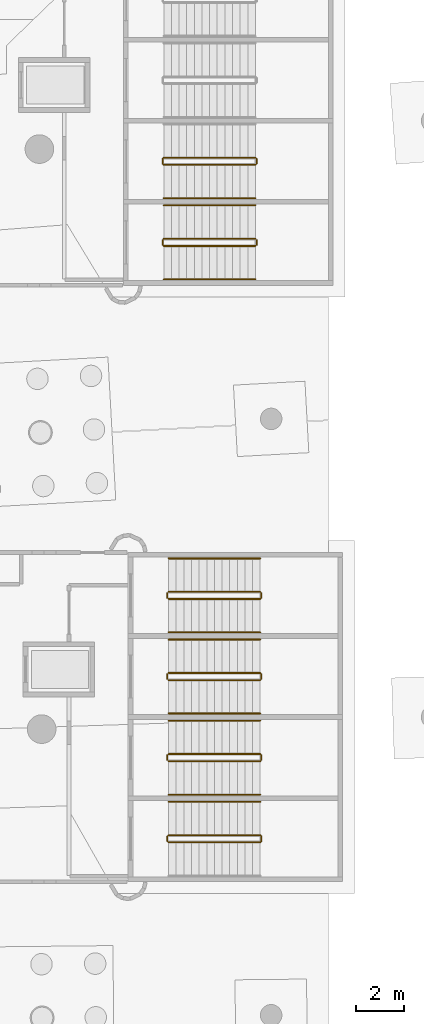
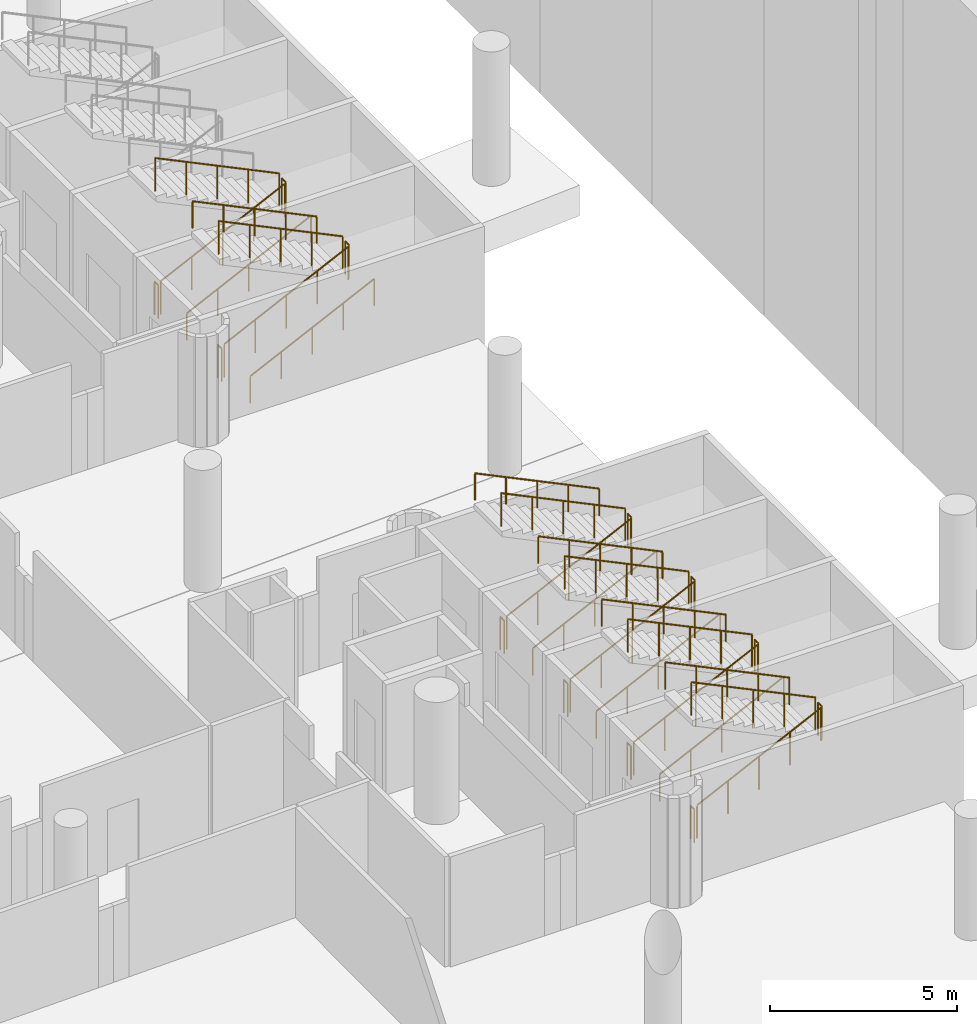
# One storey, part 135 of 142: 34 railings.
"""IFC4 building model written with IfcOpenShell, lengths in metres."""

from ifc_helpers import new_model, si_unit, direction, frame, origin, origin_2d, place, context, subcontext, project, spatial, circle, extrude, material, type_object, element, save


model = new_model("IFC4")

# Units and contexts
model_context = context("Model", 3, precision=1e-05, world=origin(), true_north=direction((0.0, 1.0)))
body_context = subcontext(model_context, "Body", "Model", "MODEL_VIEW")
ifc_project = project(units=[si_unit("LENGTHUNIT", "METRE"), si_unit("AREAUNIT", "SQUARE_METRE"), si_unit("VOLUMEUNIT", "CUBIC_METRE"), si_unit("PLANEANGLEUNIT", "RADIAN"), si_unit("MASSUNIT", "GRAM", prefix="KILO")], contexts=[model_context])

# Site, building, storey
site_placement = place(None, origin())
site = spatial("IfcSite", under=ifc_project, at=site_placement, CompositionType="ELEMENT")
building_placement = place(site_placement, origin())
building = spatial("IfcBuilding", under=site, at=building_placement, Name="Meseta Stadium", CompositionType="ELEMENT")
storey_placement = place(building_placement, frame((0.0, 0.0, -4.0)))
storey = spatial("IfcBuildingStorey", under=building, at=storey_placement, Name="B1", CompositionType="ELEMENT", Elevation=-4.0)

# Railings
ifc_material_1 = material(Name="Steel S355", Category="steel")
railing_type_1 = type_object("IfcRailingType", Name="Stair guard 1100", PredefinedType="GUARDRAIL", material=ifc_material_1)
railing_1_placement = place(storey_placement, frame((90.300048828125, 13.5, 0.15380859375)))
element("IfcRailing", 1, at=railing_1_placement, inside=storey, type_object=railing_type_1, Name="ST13 B1 guard 1", PredefinedType="GUARDRAIL", context=body_context, shape_type="SweptSolid", body=[
    extrude(circle(Radius=0.02392578125, at=origin_2d()), frame((0.0, 0.0, 1.076171875), z_axis=(0.901242096526, 0.0, 0.43331591645), x_axis=(0.0, 1.0, 0.0)), (0.0, 0.0, 1.0), 4.260498046875),
    extrude(circle(Radius=0.02099609375, at=origin_2d()), origin(), (0.0, 0.0, 1.0), 1.052001953125),
    extrude(circle(Radius=0.02099609375, at=origin_2d()), frame((0.9599609375, 0.0, 0.46142578125)), (0.0, 0.0, 1.0), 1.052001953125),
    extrude(circle(Radius=0.02099609375, at=origin_2d()), frame((1.919921875, 0.0, 0.923095703125)), (0.0, 0.0, 1.0), 1.052001953125),
    extrude(circle(Radius=0.02099609375, at=origin_2d()), frame((2.8798828125, 0.0, 1.384765625)), (0.0, 0.0, 1.0), 1.052001953125),
    extrude(circle(Radius=0.02099609375, at=origin_2d()), frame((3.83984375, 0.0, 1.84619140625)), (0.0, 0.0, 1.0), 1.052001953125),
])
railing_2_placement = place(storey_placement, frame((94.18994140625, 13.550048828125, 2.0)))
element("IfcRailing", 2, at=railing_2_placement, inside=storey, type_object=railing_type_1, Name="ST13 B1 guard 2", PredefinedType="GUARDRAIL", context=body_context, shape_type="SweptSolid", body=[
    extrude(circle(Radius=0.02392578125, at=origin_2d()), frame((0.0, 0.0, 1.076171875), z_axis=(0.0, 1.0, 0.0), x_axis=(-1.0, 0.0, 0.0)), (0.0, 0.0, 1.0), 0.199951171875),
    extrude(circle(Radius=0.02099609375, at=origin_2d()), origin(), (0.0, 0.0, 1.0), 1.052001953125),
    extrude(circle(Radius=0.02099609375, at=origin_2d()), frame((0.0, 0.199951171875, 0.0)), (0.0, 0.0, 1.0), 1.052001953125),
])
railing_3_placement = place(storey_placement, frame((94.139892578125, 13.800048828125, 2.15380859375)))
element("IfcRailing", 3, at=railing_3_placement, inside=storey, type_object=railing_type_1, Name="ST13 B1 guard 3", PredefinedType="GUARDRAIL", context=body_context, shape_type="SweptSolid", body=[
    extrude(circle(Radius=0.02392578125, at=origin_2d()), frame((0.0, 0.0, 1.076171875), z_axis=(-0.901242096526, 0.0, 0.43331591645), x_axis=(0.0, -1.0, 0.0)), (0.0, 0.0, 1.0), 4.260498046875),
    extrude(circle(Radius=0.02099609375, at=origin_2d()), origin(), (0.0, 0.0, 1.0), 1.052001953125),
    extrude(circle(Radius=0.02099609375, at=origin_2d()), frame((-0.9599609375, 0.0, 0.46142578125)), (0.0, 0.0, 1.0), 1.052001953125),
    extrude(circle(Radius=0.02099609375, at=origin_2d()), frame((-1.919921875, 0.0, 0.923095703125)), (0.0, 0.0, 1.0), 1.052001953125),
    extrude(circle(Radius=0.02099609375, at=origin_2d()), frame((-2.8798828125, 0.0, 1.384765625)), (0.0, 0.0, 1.0), 1.052001953125),
    extrude(circle(Radius=0.02099609375, at=origin_2d()), frame((-3.83984375, 0.0, 1.84619140625)), (0.0, 0.0, 1.0), 1.052001953125),
])
railing_4_placement = place(storey_placement, frame((90.25, 13.550048828125, 0.0)))
element("IfcRailing", 4, at=railing_4_placement, inside=storey, type_object=railing_type_1, Name="ST13 B1 guard 4", PredefinedType="GUARDRAIL", context=body_context, shape_type="SweptSolid", body=[
    extrude(circle(Radius=0.02392578125, at=origin_2d()), frame((0.0, 0.0, 1.076171875), z_axis=(0.0, 1.0, 0.0), x_axis=(-1.0, 0.0, 0.0)), (0.0, 0.0, 1.0), 0.199951171875),
    extrude(circle(Radius=0.02099609375, at=origin_2d()), origin(), (0.0, 0.0, 1.0), 1.052001953125),
    extrude(circle(Radius=0.02099609375, at=origin_2d()), frame((0.0, 0.199951171875, 0.0)), (0.0, 0.0, 1.0), 1.052001953125),
])
railing_5_placement = place(storey_placement, frame((90.300048828125, 16.89990234375, 0.15380859375)))
element("IfcRailing", 5, at=railing_5_placement, inside=storey, type_object=railing_type_1, Name="ST14 B1 guard 1", PredefinedType="GUARDRAIL", context=body_context, shape_type="SweptSolid", body=[
    extrude(circle(Radius=0.02392578125, at=origin_2d()), frame((0.0, 0.0, 1.076171875), z_axis=(0.901242096526, 0.0, 0.43331591645), x_axis=(0.0, 1.0, 0.0)), (0.0, 0.0, 1.0), 4.260498046875),
    extrude(circle(Radius=0.02099609375, at=origin_2d()), origin(), (0.0, 0.0, 1.0), 1.052001953125),
    extrude(circle(Radius=0.02099609375, at=origin_2d()), frame((0.9599609375, 0.0, 0.46142578125)), (0.0, 0.0, 1.0), 1.052001953125),
    extrude(circle(Radius=0.02099609375, at=origin_2d()), frame((1.919921875, 0.0, 0.923095703125)), (0.0, 0.0, 1.0), 1.052001953125),
    extrude(circle(Radius=0.02099609375, at=origin_2d()), frame((2.8798828125, 0.0, 1.384765625)), (0.0, 0.0, 1.0), 1.052001953125),
    extrude(circle(Radius=0.02099609375, at=origin_2d()), frame((3.83984375, 0.0, 1.84619140625)), (0.0, 0.0, 1.0), 1.052001953125),
])
railing_6_placement = place(storey_placement, frame((94.18994140625, 16.949951171875, 2.0)))
element("IfcRailing", 6, at=railing_6_placement, inside=storey, type_object=railing_type_1, Name="ST14 B1 guard 2", PredefinedType="GUARDRAIL", context=body_context, shape_type="SweptSolid", body=[
    extrude(circle(Radius=0.02392578125, at=origin_2d()), frame((0.0, 0.0, 1.076171875), z_axis=(0.0, 1.0, 0.0), x_axis=(-1.0, 0.0, 0.0)), (0.0, 0.0, 1.0), 0.199951171875),
    extrude(circle(Radius=0.02099609375, at=origin_2d()), origin(), (0.0, 0.0, 1.0), 1.052001953125),
    extrude(circle(Radius=0.02099609375, at=origin_2d()), frame((0.0, 0.199951171875, 0.0)), (0.0, 0.0, 1.0), 1.052001953125),
])
railing_7_placement = place(storey_placement, frame((94.139892578125, 17.199951171875, 2.15380859375)))
element("IfcRailing", 7, at=railing_7_placement, inside=storey, type_object=railing_type_1, Name="ST14 B1 guard 3", PredefinedType="GUARDRAIL", context=body_context, shape_type="SweptSolid", body=[
    extrude(circle(Radius=0.02392578125, at=origin_2d()), frame((0.0, 0.0, 1.076171875), z_axis=(-0.901242096526, 0.0, 0.43331591645), x_axis=(0.0, -1.0, 0.0)), (0.0, 0.0, 1.0), 4.260498046875),
    extrude(circle(Radius=0.02099609375, at=origin_2d()), origin(), (0.0, 0.0, 1.0), 1.052001953125),
    extrude(circle(Radius=0.02099609375, at=origin_2d()), frame((-0.9599609375, 0.0, 0.46142578125)), (0.0, 0.0, 1.0), 1.052001953125),
    extrude(circle(Radius=0.02099609375, at=origin_2d()), frame((-1.919921875, 0.0, 0.923095703125)), (0.0, 0.0, 1.0), 1.052001953125),
    extrude(circle(Radius=0.02099609375, at=origin_2d()), frame((-2.8798828125, 0.0, 1.384765625)), (0.0, 0.0, 1.0), 1.052001953125),
    extrude(circle(Radius=0.02099609375, at=origin_2d()), frame((-3.83984375, 0.0, 1.84619140625)), (0.0, 0.0, 1.0), 1.052001953125),
])
railing_8_placement = place(storey_placement, frame((90.25, 16.949951171875, 0.0)))
element("IfcRailing", 8, at=railing_8_placement, inside=storey, type_object=railing_type_1, Name="ST14 B1 guard 4", PredefinedType="GUARDRAIL", context=body_context, shape_type="SweptSolid", body=[
    extrude(circle(Radius=0.02392578125, at=origin_2d()), frame((0.0, 0.0, 1.076171875), z_axis=(0.0, 1.0, 0.0), x_axis=(-1.0, 0.0, 0.0)), (0.0, 0.0, 1.0), 0.199951171875),
    extrude(circle(Radius=0.02099609375, at=origin_2d()), origin(), (0.0, 0.0, 1.0), 1.052001953125),
    extrude(circle(Radius=0.02099609375, at=origin_2d()), frame((0.0, 0.199951171875, 0.0)), (0.0, 0.0, 1.0), 1.052001953125),
])
railing_9_placement = place(storey_placement, frame((90.300048828125, 20.300048828125, 0.15380859375)))
element("IfcRailing", 9, at=railing_9_placement, inside=storey, type_object=railing_type_1, Name="ST15 B1 guard 1", PredefinedType="GUARDRAIL", context=body_context, shape_type="SweptSolid", body=[
    extrude(circle(Radius=0.02392578125, at=origin_2d()), frame((0.0, 0.0, 1.076171875), z_axis=(0.901242096526, 0.0, 0.43331591645), x_axis=(0.0, 1.0, 0.0)), (0.0, 0.0, 1.0), 4.260498046875),
    extrude(circle(Radius=0.02099609375, at=origin_2d()), origin(), (0.0, 0.0, 1.0), 1.052001953125),
    extrude(circle(Radius=0.02099609375, at=origin_2d()), frame((0.9599609375, 0.0, 0.46142578125)), (0.0, 0.0, 1.0), 1.052001953125),
    extrude(circle(Radius=0.02099609375, at=origin_2d()), frame((1.919921875, 0.0, 0.923095703125)), (0.0, 0.0, 1.0), 1.052001953125),
    extrude(circle(Radius=0.02099609375, at=origin_2d()), frame((2.8798828125, 0.0, 1.384765625)), (0.0, 0.0, 1.0), 1.052001953125),
    extrude(circle(Radius=0.02099609375, at=origin_2d()), frame((3.83984375, 0.0, 1.84619140625)), (0.0, 0.0, 1.0), 1.052001953125),
])
railing_10_placement = place(storey_placement, frame((94.18994140625, 20.35009765625, 2.0)))
element("IfcRailing", 10, at=railing_10_placement, inside=storey, type_object=railing_type_1, Name="ST15 B1 guard 2", PredefinedType="GUARDRAIL", context=body_context, shape_type="SweptSolid", body=[
    extrude(circle(Radius=0.02392578125, at=origin_2d()), frame((0.0, 0.0, 1.076171875), z_axis=(0.0, 1.0, 0.0), x_axis=(-1.0, 0.0, 0.0)), (0.0, 0.0, 1.0), 0.199951171875),
    extrude(circle(Radius=0.02099609375, at=origin_2d()), origin(), (0.0, 0.0, 1.0), 1.052001953125),
    extrude(circle(Radius=0.02099609375, at=origin_2d()), frame((0.0, 0.199951171875, 0.0)), (0.0, 0.0, 1.0), 1.052001953125),
])
railing_11_placement = place(storey_placement, frame((94.139892578125, 20.60009765625, 2.15380859375)))
element("IfcRailing", 11, at=railing_11_placement, inside=storey, type_object=railing_type_1, Name="ST15 B1 guard 3", PredefinedType="GUARDRAIL", context=body_context, shape_type="SweptSolid", body=[
    extrude(circle(Radius=0.02392578125, at=origin_2d()), frame((0.0, 0.0, 1.076171875), z_axis=(-0.901242096526, 0.0, 0.43331591645), x_axis=(0.0, -1.0, 0.0)), (0.0, 0.0, 1.0), 4.260498046875),
    extrude(circle(Radius=0.02099609375, at=origin_2d()), origin(), (0.0, 0.0, 1.0), 1.052001953125),
    extrude(circle(Radius=0.02099609375, at=origin_2d()), frame((-0.9599609375, 0.0, 0.46142578125)), (0.0, 0.0, 1.0), 1.052001953125),
    extrude(circle(Radius=0.02099609375, at=origin_2d()), frame((-1.919921875, 0.0, 0.923095703125)), (0.0, 0.0, 1.0), 1.052001953125),
    extrude(circle(Radius=0.02099609375, at=origin_2d()), frame((-2.8798828125, 0.0, 1.384765625)), (0.0, 0.0, 1.0), 1.052001953125),
    extrude(circle(Radius=0.02099609375, at=origin_2d()), frame((-3.83984375, 0.0, 1.84619140625)), (0.0, 0.0, 1.0), 1.052001953125),
])
railing_12_placement = place(storey_placement, frame((90.25, 20.35009765625, 0.0)))
element("IfcRailing", 12, at=railing_12_placement, inside=storey, type_object=railing_type_1, Name="ST15 B1 guard 4", PredefinedType="GUARDRAIL", context=body_context, shape_type="SweptSolid", body=[
    extrude(circle(Radius=0.02392578125, at=origin_2d()), frame((0.0, 0.0, 1.076171875), z_axis=(0.0, 1.0, 0.0), x_axis=(-1.0, 0.0, 0.0)), (0.0, 0.0, 1.0), 0.199951171875),
    extrude(circle(Radius=0.02099609375, at=origin_2d()), origin(), (0.0, 0.0, 1.0), 1.052001953125),
    extrude(circle(Radius=0.02099609375, at=origin_2d()), frame((0.0, 0.199951171875, 0.0)), (0.0, 0.0, 1.0), 1.052001953125),
])
railing_13_placement = place(storey_placement, frame((90.300048828125, 23.699951171875, 0.15380859375)))
element("IfcRailing", 13, at=railing_13_placement, inside=storey, type_object=railing_type_1, Name="ST16 B1 guard 1", PredefinedType="GUARDRAIL", context=body_context, shape_type="SweptSolid", body=[
    extrude(circle(Radius=0.02392578125, at=origin_2d()), frame((0.0, 0.0, 1.076171875), z_axis=(0.901242096526, 0.0, 0.43331591645), x_axis=(0.0, 1.0, 0.0)), (0.0, 0.0, 1.0), 4.260498046875),
    extrude(circle(Radius=0.02099609375, at=origin_2d()), origin(), (0.0, 0.0, 1.0), 1.052001953125),
    extrude(circle(Radius=0.02099609375, at=origin_2d()), frame((0.9599609375, 0.0, 0.46142578125)), (0.0, 0.0, 1.0), 1.052001953125),
    extrude(circle(Radius=0.02099609375, at=origin_2d()), frame((1.919921875, 0.0, 0.923095703125)), (0.0, 0.0, 1.0), 1.052001953125),
    extrude(circle(Radius=0.02099609375, at=origin_2d()), frame((2.8798828125, 0.0, 1.384765625)), (0.0, 0.0, 1.0), 1.052001953125),
    extrude(circle(Radius=0.02099609375, at=origin_2d()), frame((3.83984375, 0.0, 1.84619140625)), (0.0, 0.0, 1.0), 1.052001953125),
])
railing_14_placement = place(storey_placement, frame((94.18994140625, 23.75, 2.0)))
element("IfcRailing", 14, at=railing_14_placement, inside=storey, type_object=railing_type_1, Name="ST16 B1 guard 2", PredefinedType="GUARDRAIL", context=body_context, shape_type="SweptSolid", body=[
    extrude(circle(Radius=0.02392578125, at=origin_2d()), frame((0.0, 0.0, 1.076171875), z_axis=(0.0, 1.0, 0.0), x_axis=(-1.0, 0.0, 0.0)), (0.0, 0.0, 1.0), 0.199951171875),
    extrude(circle(Radius=0.02099609375, at=origin_2d()), origin(), (0.0, 0.0, 1.0), 1.052001953125),
    extrude(circle(Radius=0.02099609375, at=origin_2d()), frame((0.0, 0.199951171875, 0.0)), (0.0, 0.0, 1.0), 1.052001953125),
])
railing_15_placement = place(storey_placement, frame((94.139892578125, 24.0, 2.15380859375)))
element("IfcRailing", 15, at=railing_15_placement, inside=storey, type_object=railing_type_1, Name="ST16 B1 guard 3", PredefinedType="GUARDRAIL", context=body_context, shape_type="SweptSolid", body=[
    extrude(circle(Radius=0.02392578125, at=origin_2d()), frame((0.0, 0.0, 1.076171875), z_axis=(-0.901242096526, 0.0, 0.43331591645), x_axis=(0.0, -1.0, 0.0)), (0.0, 0.0, 1.0), 4.260498046875),
    extrude(circle(Radius=0.02099609375, at=origin_2d()), origin(), (0.0, 0.0, 1.0), 1.052001953125),
    extrude(circle(Radius=0.02099609375, at=origin_2d()), frame((-0.9599609375, 0.0, 0.46142578125)), (0.0, 0.0, 1.0), 1.052001953125),
    extrude(circle(Radius=0.02099609375, at=origin_2d()), frame((-1.919921875, 0.0, 0.923095703125)), (0.0, 0.0, 1.0), 1.052001953125),
    extrude(circle(Radius=0.02099609375, at=origin_2d()), frame((-2.8798828125, 0.0, 1.384765625)), (0.0, 0.0, 1.0), 1.052001953125),
    extrude(circle(Radius=0.02099609375, at=origin_2d()), frame((-3.83984375, 0.0, 1.84619140625)), (0.0, 0.0, 1.0), 1.052001953125),
])
railing_16_placement = place(storey_placement, frame((90.25, 23.75, 0.0)))
element("IfcRailing", 16, at=railing_16_placement, inside=storey, type_object=railing_type_1, Name="ST16 B1 guard 4", PredefinedType="GUARDRAIL", context=body_context, shape_type="SweptSolid", body=[
    extrude(circle(Radius=0.02392578125, at=origin_2d()), frame((0.0, 0.0, 1.076171875), z_axis=(0.0, 1.0, 0.0), x_axis=(-1.0, 0.0, 0.0)), (0.0, 0.0, 1.0), 0.199951171875),
    extrude(circle(Radius=0.02099609375, at=origin_2d()), origin(), (0.0, 0.0, 1.0), 1.052001953125),
    extrude(circle(Radius=0.02099609375, at=origin_2d()), frame((0.0, 0.199951171875, 0.0)), (0.0, 0.0, 1.0), 1.052001953125),
])
railing_17_placement = place(storey_placement, frame((90.10009765625, 38.5, 0.15380859375)))
element("IfcRailing", 17, at=railing_17_placement, inside=storey, type_object=railing_type_1, Name="ST17 B1 guard 1", PredefinedType="GUARDRAIL", context=body_context, shape_type="SweptSolid", body=[
    extrude(circle(Radius=0.02392578125, at=origin_2d()), frame((0.0, 0.0, 1.076171875), z_axis=(0.901242096526, 0.0, 0.43331591645), x_axis=(0.0, 1.0, 0.0)), (0.0, 0.0, 1.0), 4.260498046875),
    extrude(circle(Radius=0.02099609375, at=origin_2d()), origin(), (0.0, 0.0, 1.0), 1.052001953125),
    extrude(circle(Radius=0.02099609375, at=origin_2d()), frame((0.9599609375, 0.0, 0.46142578125)), (0.0, 0.0, 1.0), 1.052001953125),
    extrude(circle(Radius=0.02099609375, at=origin_2d()), frame((1.919921875, 0.0, 0.923095703125)), (0.0, 0.0, 1.0), 1.052001953125),
    extrude(circle(Radius=0.02099609375, at=origin_2d()), frame((2.8798828125, 0.0, 1.384765625)), (0.0, 0.0, 1.0), 1.052001953125),
    extrude(circle(Radius=0.02099609375, at=origin_2d()), frame((3.83984375, 0.0, 1.84619140625)), (0.0, 0.0, 1.0), 1.052001953125),
])
railing_18_placement = place(storey_placement, frame((93.989990234375, 38.550048828125, 2.0)))
element("IfcRailing", 18, at=railing_18_placement, inside=storey, type_object=railing_type_1, Name="ST17 B1 guard 2", PredefinedType="GUARDRAIL", context=body_context, shape_type="SweptSolid", body=[
    extrude(circle(Radius=0.02392578125, at=origin_2d()), frame((0.0, 0.0, 1.076171875), z_axis=(0.0, 1.0, 0.0), x_axis=(-1.0, 0.0, 0.0)), (0.0, 0.0, 1.0), 0.199951171875),
    extrude(circle(Radius=0.02099609375, at=origin_2d()), origin(), (0.0, 0.0, 1.0), 1.052001953125),
    extrude(circle(Radius=0.02099609375, at=origin_2d()), frame((0.0, 0.199951171875, 0.0)), (0.0, 0.0, 1.0), 1.052001953125),
])
railing_19_placement = place(storey_placement, frame((93.93994140625, 38.800048828125, 2.15380859375)))
element("IfcRailing", 19, at=railing_19_placement, inside=storey, type_object=railing_type_1, Name="ST17 B1 guard 3", PredefinedType="GUARDRAIL", context=body_context, shape_type="SweptSolid", body=[
    extrude(circle(Radius=0.02392578125, at=origin_2d()), frame((0.0, 0.0, 1.076171875), z_axis=(-0.901242096526, 0.0, 0.43331591645), x_axis=(0.0, -1.0, 0.0)), (0.0, 0.0, 1.0), 4.260498046875),
    extrude(circle(Radius=0.02099609375, at=origin_2d()), origin(), (0.0, 0.0, 1.0), 1.052001953125),
    extrude(circle(Radius=0.02099609375, at=origin_2d()), frame((-0.9599609375, 0.0, 0.46142578125)), (0.0, 0.0, 1.0), 1.052001953125),
    extrude(circle(Radius=0.02099609375, at=origin_2d()), frame((-1.919921875, 0.0, 0.923095703125)), (0.0, 0.0, 1.0), 1.052001953125),
    extrude(circle(Radius=0.02099609375, at=origin_2d()), frame((-2.8798828125, 0.0, 1.384765625)), (0.0, 0.0, 1.0), 1.052001953125),
    extrude(circle(Radius=0.02099609375, at=origin_2d()), frame((-3.83984375, 0.0, 1.84619140625)), (0.0, 0.0, 1.0), 1.052001953125),
])
railing_20_placement = place(storey_placement, frame((90.050048828125, 38.550048828125, 0.0)))
element("IfcRailing", 20, at=railing_20_placement, inside=storey, type_object=railing_type_1, Name="ST17 B1 guard 4", PredefinedType="GUARDRAIL", context=body_context, shape_type="SweptSolid", body=[
    extrude(circle(Radius=0.02392578125, at=origin_2d()), frame((0.0, 0.0, 1.076171875), z_axis=(0.0, 1.0, 0.0), x_axis=(-1.0, 0.0, 0.0)), (0.0, 0.0, 1.0), 0.199951171875),
    extrude(circle(Radius=0.02099609375, at=origin_2d()), origin(), (0.0, 0.0, 1.0), 1.052001953125),
    extrude(circle(Radius=0.02099609375, at=origin_2d()), frame((0.0, 0.199951171875, 0.0)), (0.0, 0.0, 1.0), 1.052001953125),
])
railing_21_placement = place(storey_placement, frame((90.10009765625, 41.89990234375, 0.15380859375)))
element("IfcRailing", 21, at=railing_21_placement, inside=storey, type_object=railing_type_1, Name="ST18 B1 guard 1", PredefinedType="GUARDRAIL", context=body_context, shape_type="SweptSolid", body=[
    extrude(circle(Radius=0.02392578125, at=origin_2d()), frame((0.0, 0.0, 1.076171875), z_axis=(0.901242096526, 0.0, 0.43331591645), x_axis=(0.0, 1.0, 0.0)), (0.0, 0.0, 1.0), 4.260498046875),
    extrude(circle(Radius=0.02099609375, at=origin_2d()), origin(), (0.0, 0.0, 1.0), 1.052001953125),
    extrude(circle(Radius=0.02099609375, at=origin_2d()), frame((0.9599609375, 0.0, 0.46142578125)), (0.0, 0.0, 1.0), 1.052001953125),
    extrude(circle(Radius=0.02099609375, at=origin_2d()), frame((1.919921875, 0.0, 0.923095703125)), (0.0, 0.0, 1.0), 1.052001953125),
    extrude(circle(Radius=0.02099609375, at=origin_2d()), frame((2.8798828125, 0.0, 1.384765625)), (0.0, 0.0, 1.0), 1.052001953125),
    extrude(circle(Radius=0.02099609375, at=origin_2d()), frame((3.83984375, 0.0, 1.84619140625)), (0.0, 0.0, 1.0), 1.052001953125),
])
railing_22_placement = place(storey_placement, frame((93.989990234375, 41.949951171875, 2.0)))
element("IfcRailing", 22, at=railing_22_placement, inside=storey, type_object=railing_type_1, Name="ST18 B1 guard 2", PredefinedType="GUARDRAIL", context=body_context, shape_type="SweptSolid", body=[
    extrude(circle(Radius=0.02392578125, at=origin_2d()), frame((0.0, 0.0, 1.076171875), z_axis=(0.0, 1.0, 0.0), x_axis=(-1.0, 0.0, 0.0)), (0.0, 0.0, 1.0), 0.199951171875),
    extrude(circle(Radius=0.02099609375, at=origin_2d()), origin(), (0.0, 0.0, 1.0), 1.052001953125),
    extrude(circle(Radius=0.02099609375, at=origin_2d()), frame((0.0, 0.199951171875, 0.0)), (0.0, 0.0, 1.0), 1.052001953125),
])
railing_23_placement = place(storey_placement, frame((93.93994140625, 42.199951171875, 2.15380859375)))
element("IfcRailing", 23, at=railing_23_placement, inside=storey, type_object=railing_type_1, Name="ST18 B1 guard 3", PredefinedType="GUARDRAIL", context=body_context, shape_type="SweptSolid", body=[
    extrude(circle(Radius=0.02392578125, at=origin_2d()), frame((0.0, 0.0, 1.076171875), z_axis=(-0.901242096526, 0.0, 0.43331591645), x_axis=(0.0, -1.0, 0.0)), (0.0, 0.0, 1.0), 4.260498046875),
    extrude(circle(Radius=0.02099609375, at=origin_2d()), origin(), (0.0, 0.0, 1.0), 1.052001953125),
    extrude(circle(Radius=0.02099609375, at=origin_2d()), frame((-0.9599609375, 0.0, 0.46142578125)), (0.0, 0.0, 1.0), 1.052001953125),
    extrude(circle(Radius=0.02099609375, at=origin_2d()), frame((-1.919921875, 0.0, 0.923095703125)), (0.0, 0.0, 1.0), 1.052001953125),
    extrude(circle(Radius=0.02099609375, at=origin_2d()), frame((-2.8798828125, 0.0, 1.384765625)), (0.0, 0.0, 1.0), 1.052001953125),
    extrude(circle(Radius=0.02099609375, at=origin_2d()), frame((-3.83984375, 0.0, 1.84619140625)), (0.0, 0.0, 1.0), 1.052001953125),
])
railing_24_placement = place(storey_placement, frame((90.050048828125, 41.949951171875, 0.0)))
element("IfcRailing", 24, at=railing_24_placement, inside=storey, type_object=railing_type_1, Name="ST18 B1 guard 4", PredefinedType="GUARDRAIL", context=body_context, shape_type="SweptSolid", body=[
    extrude(circle(Radius=0.02392578125, at=origin_2d()), frame((0.0, 0.0, 1.076171875), z_axis=(0.0, 1.0, 0.0), x_axis=(-1.0, 0.0, 0.0)), (0.0, 0.0, 1.0), 0.199951171875),
    extrude(circle(Radius=0.02099609375, at=origin_2d()), origin(), (0.0, 0.0, 1.0), 1.052001953125),
    extrude(circle(Radius=0.02099609375, at=origin_2d()), frame((0.0, 0.199951171875, 0.0)), (0.0, 0.0, 1.0), 1.052001953125),
])
ifc_material_2 = material(Name="Steel S355", Category="steel")
railing_type_2 = type_object("IfcRailingType", Name="Stair handrail 900", PredefinedType="HANDRAIL", material=ifc_material_2)
railing_25_placement = place(storey_placement, frame((94.139892578125, 15.199951171875, 2.15380859375)))
element("IfcRailing", 25, at=railing_25_placement, inside=storey, type_object=railing_type_2, Name="ST13 B1 handrail 2", PredefinedType="HANDRAIL", context=body_context, shape_type="SweptSolid", body=[
    extrude(circle(Radius=0.02392578125, at=origin_2d()), frame((0.0, 0.0, 0.8759765625), z_axis=(-0.901242096526, 0.0, 0.43331591645), x_axis=(0.0, -1.0, 0.0)), (0.0, 0.0, 1.0), 4.260498046875),
    extrude(circle(Radius=0.02099609375, at=origin_2d()), origin(), (0.0, 0.0, 1.0), 0.851806640625),
    extrude(circle(Radius=0.02099609375, at=origin_2d()), frame((-0.9599609375, 0.0, 0.46142578125)), (0.0, 0.0, 1.0), 0.851806640625),
    extrude(circle(Radius=0.02099609375, at=origin_2d()), frame((-1.919921875, 0.0, 0.923095703125)), (0.0, 0.0, 1.0), 0.851806640625),
    extrude(circle(Radius=0.02099609375, at=origin_2d()), frame((-2.8798828125, 0.0, 1.384765625)), (0.0, 0.0, 1.0), 0.851806640625),
    extrude(circle(Radius=0.02099609375, at=origin_2d()), frame((-3.83984375, 0.0, 1.84619140625)), (0.0, 0.0, 1.0), 0.851806640625),
])
railing_26_placement = place(storey_placement, frame((90.300048828125, 15.5, 0.15380859375)))
element("IfcRailing", 26, at=railing_26_placement, inside=storey, type_object=railing_type_2, Name="ST14 B1 handrail 1", PredefinedType="HANDRAIL", context=body_context, shape_type="SweptSolid", body=[
    extrude(circle(Radius=0.02392578125, at=origin_2d()), frame((0.0, 0.0, 0.8759765625), z_axis=(0.901242096526, 0.0, 0.43331591645), x_axis=(0.0, 1.0, 0.0)), (0.0, 0.0, 1.0), 4.260498046875),
    extrude(circle(Radius=0.02099609375, at=origin_2d()), origin(), (0.0, 0.0, 1.0), 0.851806640625),
    extrude(circle(Radius=0.02099609375, at=origin_2d()), frame((0.9599609375, 0.0, 0.46142578125)), (0.0, 0.0, 1.0), 0.851806640625),
    extrude(circle(Radius=0.02099609375, at=origin_2d()), frame((1.919921875, 0.0, 0.923095703125)), (0.0, 0.0, 1.0), 0.851806640625),
    extrude(circle(Radius=0.02099609375, at=origin_2d()), frame((2.8798828125, 0.0, 1.384765625)), (0.0, 0.0, 1.0), 0.851806640625),
    extrude(circle(Radius=0.02099609375, at=origin_2d()), frame((3.83984375, 0.0, 1.84619140625)), (0.0, 0.0, 1.0), 0.851806640625),
])
railing_27_placement = place(storey_placement, frame((94.139892578125, 18.60009765625, 2.15380859375)))
element("IfcRailing", 27, at=railing_27_placement, inside=storey, type_object=railing_type_2, Name="ST14 B1 handrail 2", PredefinedType="HANDRAIL", context=body_context, shape_type="SweptSolid", body=[
    extrude(circle(Radius=0.02392578125, at=origin_2d()), frame((0.0, 0.0, 0.8759765625), z_axis=(-0.901242096526, 0.0, 0.43331591645), x_axis=(0.0, -1.0, 0.0)), (0.0, 0.0, 1.0), 4.260498046875),
    extrude(circle(Radius=0.02099609375, at=origin_2d()), origin(), (0.0, 0.0, 1.0), 0.851806640625),
    extrude(circle(Radius=0.02099609375, at=origin_2d()), frame((-0.9599609375, 0.0, 0.46142578125)), (0.0, 0.0, 1.0), 0.851806640625),
    extrude(circle(Radius=0.02099609375, at=origin_2d()), frame((-1.919921875, 0.0, 0.923095703125)), (0.0, 0.0, 1.0), 0.851806640625),
    extrude(circle(Radius=0.02099609375, at=origin_2d()), frame((-2.8798828125, 0.0, 1.384765625)), (0.0, 0.0, 1.0), 0.851806640625),
    extrude(circle(Radius=0.02099609375, at=origin_2d()), frame((-3.83984375, 0.0, 1.84619140625)), (0.0, 0.0, 1.0), 0.851806640625),
])
railing_28_placement = place(storey_placement, frame((90.300048828125, 18.89990234375, 0.15380859375)))
element("IfcRailing", 28, at=railing_28_placement, inside=storey, type_object=railing_type_2, Name="ST15 B1 handrail 1", PredefinedType="HANDRAIL", context=body_context, shape_type="SweptSolid", body=[
    extrude(circle(Radius=0.02392578125, at=origin_2d()), frame((0.0, 0.0, 0.8759765625), z_axis=(0.901242096526, 0.0, 0.43331591645), x_axis=(0.0, 1.0, 0.0)), (0.0, 0.0, 1.0), 4.260498046875),
    extrude(circle(Radius=0.02099609375, at=origin_2d()), origin(), (0.0, 0.0, 1.0), 0.851806640625),
    extrude(circle(Radius=0.02099609375, at=origin_2d()), frame((0.9599609375, 0.0, 0.46142578125)), (0.0, 0.0, 1.0), 0.851806640625),
    extrude(circle(Radius=0.02099609375, at=origin_2d()), frame((1.919921875, 0.0, 0.923095703125)), (0.0, 0.0, 1.0), 0.851806640625),
    extrude(circle(Radius=0.02099609375, at=origin_2d()), frame((2.8798828125, 0.0, 1.384765625)), (0.0, 0.0, 1.0), 0.851806640625),
    extrude(circle(Radius=0.02099609375, at=origin_2d()), frame((3.83984375, 0.0, 1.84619140625)), (0.0, 0.0, 1.0), 0.851806640625),
])
railing_29_placement = place(storey_placement, frame((94.139892578125, 22.0, 2.15380859375)))
element("IfcRailing", 29, at=railing_29_placement, inside=storey, type_object=railing_type_2, Name="ST15 B1 handrail 2", PredefinedType="HANDRAIL", context=body_context, shape_type="SweptSolid", body=[
    extrude(circle(Radius=0.02392578125, at=origin_2d()), frame((0.0, 0.0, 0.8759765625), z_axis=(-0.901242096526, 0.0, 0.43331591645), x_axis=(0.0, -1.0, 0.0)), (0.0, 0.0, 1.0), 4.260498046875),
    extrude(circle(Radius=0.02099609375, at=origin_2d()), origin(), (0.0, 0.0, 1.0), 0.851806640625),
    extrude(circle(Radius=0.02099609375, at=origin_2d()), frame((-0.9599609375, 0.0, 0.46142578125)), (0.0, 0.0, 1.0), 0.851806640625),
    extrude(circle(Radius=0.02099609375, at=origin_2d()), frame((-1.919921875, 0.0, 0.923095703125)), (0.0, 0.0, 1.0), 0.851806640625),
    extrude(circle(Radius=0.02099609375, at=origin_2d()), frame((-2.8798828125, 0.0, 1.384765625)), (0.0, 0.0, 1.0), 0.851806640625),
    extrude(circle(Radius=0.02099609375, at=origin_2d()), frame((-3.83984375, 0.0, 1.84619140625)), (0.0, 0.0, 1.0), 0.851806640625),
])
railing_30_placement = place(storey_placement, frame((90.300048828125, 22.300048828125, 0.15380859375)))
element("IfcRailing", 30, at=railing_30_placement, inside=storey, type_object=railing_type_2, Name="ST16 B1 handrail 1", PredefinedType="HANDRAIL", context=body_context, shape_type="SweptSolid", body=[
    extrude(circle(Radius=0.02392578125, at=origin_2d()), frame((0.0, 0.0, 0.8759765625), z_axis=(0.901242096526, 0.0, 0.43331591645), x_axis=(0.0, 1.0, 0.0)), (0.0, 0.0, 1.0), 4.260498046875),
    extrude(circle(Radius=0.02099609375, at=origin_2d()), origin(), (0.0, 0.0, 1.0), 0.851806640625),
    extrude(circle(Radius=0.02099609375, at=origin_2d()), frame((0.9599609375, 0.0, 0.46142578125)), (0.0, 0.0, 1.0), 0.851806640625),
    extrude(circle(Radius=0.02099609375, at=origin_2d()), frame((1.919921875, 0.0, 0.923095703125)), (0.0, 0.0, 1.0), 0.851806640625),
    extrude(circle(Radius=0.02099609375, at=origin_2d()), frame((2.8798828125, 0.0, 1.384765625)), (0.0, 0.0, 1.0), 0.851806640625),
    extrude(circle(Radius=0.02099609375, at=origin_2d()), frame((3.83984375, 0.0, 1.84619140625)), (0.0, 0.0, 1.0), 0.851806640625),
])
railing_31_placement = place(storey_placement, frame((94.139892578125, 25.39990234375, 2.15380859375)))
element("IfcRailing", 31, at=railing_31_placement, inside=storey, type_object=railing_type_2, Name="ST16 B1 handrail 2", PredefinedType="HANDRAIL", context=body_context, shape_type="SweptSolid", body=[
    extrude(circle(Radius=0.02392578125, at=origin_2d()), frame((0.0, 0.0, 0.8759765625), z_axis=(-0.901242096526, 0.0, 0.43331591645), x_axis=(0.0, -1.0, 0.0)), (0.0, 0.0, 1.0), 4.260498046875),
    extrude(circle(Radius=0.02099609375, at=origin_2d()), origin(), (0.0, 0.0, 1.0), 0.851806640625),
    extrude(circle(Radius=0.02099609375, at=origin_2d()), frame((-0.9599609375, 0.0, 0.46142578125)), (0.0, 0.0, 1.0), 0.851806640625),
    extrude(circle(Radius=0.02099609375, at=origin_2d()), frame((-1.919921875, 0.0, 0.923095703125)), (0.0, 0.0, 1.0), 0.851806640625),
    extrude(circle(Radius=0.02099609375, at=origin_2d()), frame((-2.8798828125, 0.0, 1.384765625)), (0.0, 0.0, 1.0), 0.851806640625),
    extrude(circle(Radius=0.02099609375, at=origin_2d()), frame((-3.83984375, 0.0, 1.84619140625)), (0.0, 0.0, 1.0), 0.851806640625),
])
railing_32_placement = place(storey_placement, frame((90.10009765625, 37.10009765625, 0.15380859375)))
element("IfcRailing", 32, at=railing_32_placement, inside=storey, type_object=railing_type_2, Name="ST17 B1 handrail 1", PredefinedType="HANDRAIL", context=body_context, shape_type="SweptSolid", body=[
    extrude(circle(Radius=0.02392578125, at=origin_2d()), frame((0.0, 0.0, 0.8759765625), z_axis=(0.901242096526, 0.0, 0.43331591645), x_axis=(0.0, 1.0, 0.0)), (0.0, 0.0, 1.0), 4.260498046875),
    extrude(circle(Radius=0.02099609375, at=origin_2d()), origin(), (0.0, 0.0, 1.0), 0.851806640625),
    extrude(circle(Radius=0.02099609375, at=origin_2d()), frame((0.9599609375, 0.0, 0.46142578125)), (0.0, 0.0, 1.0), 0.851806640625),
    extrude(circle(Radius=0.02099609375, at=origin_2d()), frame((1.919921875, 0.0, 0.923095703125)), (0.0, 0.0, 1.0), 0.851806640625),
    extrude(circle(Radius=0.02099609375, at=origin_2d()), frame((2.8798828125, 0.0, 1.384765625)), (0.0, 0.0, 1.0), 0.851806640625),
    extrude(circle(Radius=0.02099609375, at=origin_2d()), frame((3.83984375, 0.0, 1.84619140625)), (0.0, 0.0, 1.0), 0.851806640625),
])
railing_33_placement = place(storey_placement, frame((93.93994140625, 40.199951171875, 2.15380859375)))
element("IfcRailing", 33, at=railing_33_placement, inside=storey, type_object=railing_type_2, Name="ST17 B1 handrail 2", PredefinedType="HANDRAIL", context=body_context, shape_type="SweptSolid", body=[
    extrude(circle(Radius=0.02392578125, at=origin_2d()), frame((0.0, 0.0, 0.8759765625), z_axis=(-0.901242096526, 0.0, 0.43331591645), x_axis=(0.0, -1.0, 0.0)), (0.0, 0.0, 1.0), 4.260498046875),
    extrude(circle(Radius=0.02099609375, at=origin_2d()), origin(), (0.0, 0.0, 1.0), 0.851806640625),
    extrude(circle(Radius=0.02099609375, at=origin_2d()), frame((-0.9599609375, 0.0, 0.46142578125)), (0.0, 0.0, 1.0), 0.851806640625),
    extrude(circle(Radius=0.02099609375, at=origin_2d()), frame((-1.919921875, 0.0, 0.923095703125)), (0.0, 0.0, 1.0), 0.851806640625),
    extrude(circle(Radius=0.02099609375, at=origin_2d()), frame((-2.8798828125, 0.0, 1.384765625)), (0.0, 0.0, 1.0), 0.851806640625),
    extrude(circle(Radius=0.02099609375, at=origin_2d()), frame((-3.83984375, 0.0, 1.84619140625)), (0.0, 0.0, 1.0), 0.851806640625),
])
railing_34_placement = place(storey_placement, frame((90.10009765625, 40.5, 0.15380859375)))
element("IfcRailing", 34, at=railing_34_placement, inside=storey, type_object=railing_type_2, Name="ST18 B1 handrail 1", PredefinedType="HANDRAIL", context=body_context, shape_type="SweptSolid", body=[
    extrude(circle(Radius=0.02392578125, at=origin_2d()), frame((0.0, 0.0, 0.8759765625), z_axis=(0.901242096526, 0.0, 0.43331591645), x_axis=(0.0, 1.0, 0.0)), (0.0, 0.0, 1.0), 4.260498046875),
    extrude(circle(Radius=0.02099609375, at=origin_2d()), origin(), (0.0, 0.0, 1.0), 0.851806640625),
    extrude(circle(Radius=0.02099609375, at=origin_2d()), frame((0.9599609375, 0.0, 0.46142578125)), (0.0, 0.0, 1.0), 0.851806640625),
    extrude(circle(Radius=0.02099609375, at=origin_2d()), frame((1.919921875, 0.0, 0.923095703125)), (0.0, 0.0, 1.0), 0.851806640625),
    extrude(circle(Radius=0.02099609375, at=origin_2d()), frame((2.8798828125, 0.0, 1.384765625)), (0.0, 0.0, 1.0), 0.851806640625),
    extrude(circle(Radius=0.02099609375, at=origin_2d()), frame((3.83984375, 0.0, 1.84619140625)), (0.0, 0.0, 1.0), 0.851806640625),
])

save(model, "model.ifc")
